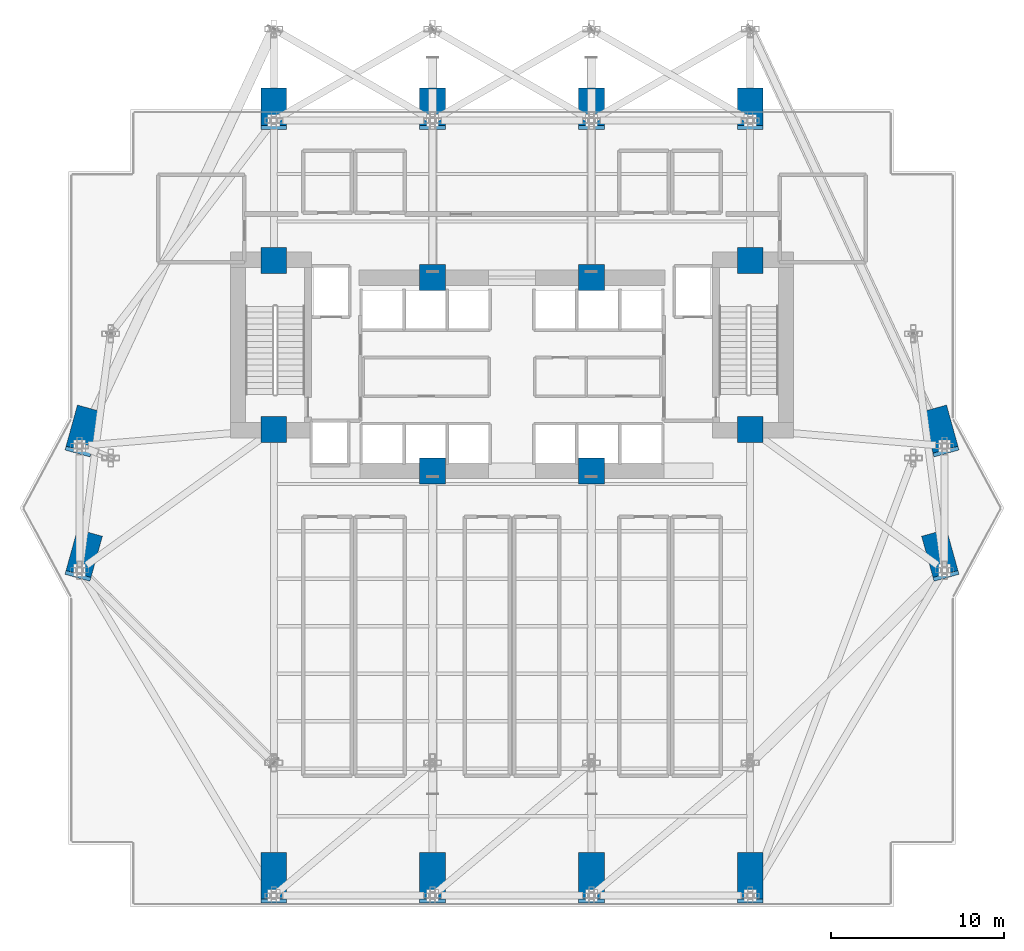
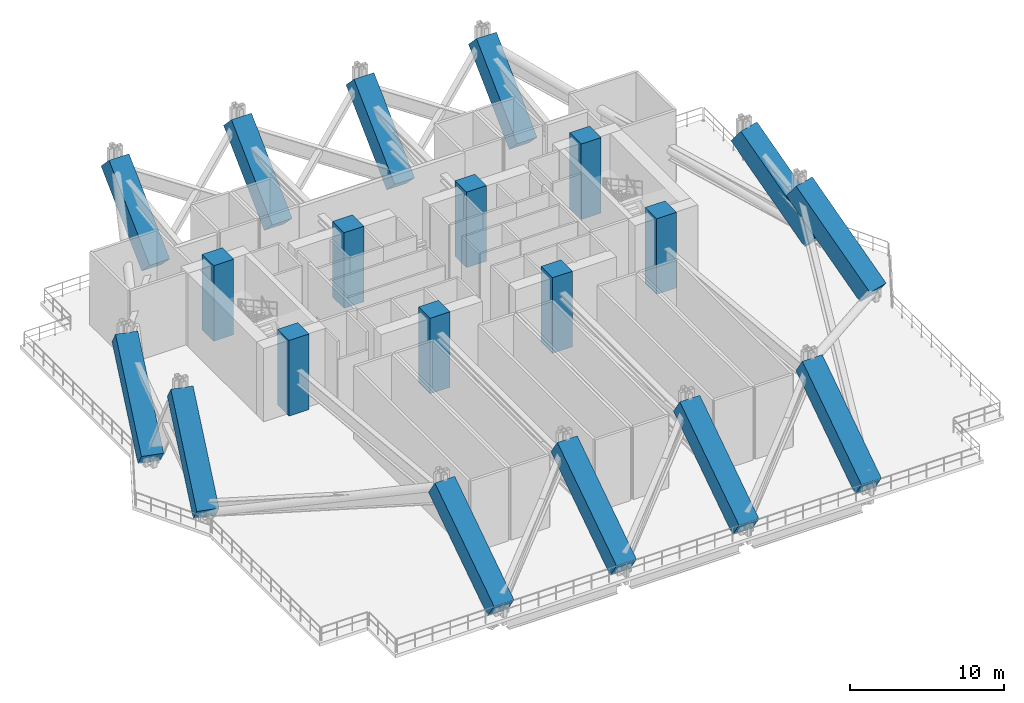
# One storey, part 1 of 21: 20 columns.
"""IFC4 building model written with IfcOpenShell, lengths in metres."""

from ifc_helpers import new_model, si_unit, direction, frame, origin, origin_2d, place, context, subcontext, project, spatial, rectangle, extrude, material, material_profile, profile_set, type_object, element, save


model = new_model("IFC4")

# Units and contexts
model_context = context("Model", 3, precision=1e-05, world=origin(), true_north=direction((0.0, 1.0)))
body_context = subcontext(model_context, "Body", "Model", "MODEL_VIEW")
ifc_project = project(units=[si_unit("LENGTHUNIT", "METRE"), si_unit("AREAUNIT", "SQUARE_METRE"), si_unit("VOLUMEUNIT", "CUBIC_METRE"), si_unit("PLANEANGLEUNIT", "RADIAN"), si_unit("MASSUNIT", "GRAM", prefix="KILO")], contexts=[model_context])

# Site, building, storey
site_placement = place(None, origin())
site = spatial("IfcSite", under=ifc_project, at=site_placement, CompositionType="ELEMENT")
building_placement = place(site_placement, origin())
building = spatial("IfcBuilding", under=site, at=building_placement, Name="Zuhayl Quay Hotel", CompositionType="ELEMENT")
storey_placement = place(building_placement, frame((0.0, 0.0, 89.64990234375)))
storey = spatial("IfcBuildingStorey", under=building, at=storey_placement, Name="L22", CompositionType="ELEMENT", Elevation=89.64990234375)

# Columns
ifc_material = material(Name="Concrete C70/85", Category="concrete")
ifc_material_profile_1 = material_profile(ifc_material, rectangle(XDim=1.5, YDim=1.5, at=origin_2d()), Name="RC1500X1500")
ifc_profile_set_1 = profile_set([ifc_material_profile_1], Name="Concrete C70/85")
column_type_1 = type_object("IfcColumnType", Name="CL_CC1_1500", PredefinedType="COLUMN", material=ifc_profile_set_1)
for number, where, z_axis, x_axis, name in (
    (1, (-13.800048828125, 14.35009765625, 0.0), (0.0, 0.0, 1.0), (1.0, 0.0, 0.0), "L22 Core Column CC_NW"),
    (2, (-4.60009765625, 13.35009765625, 0.0), (0.0, 0.0, 1.0), (1.0, 0.0, 0.0), "L22 Core Column CC_CNW"),
    (3, (4.60009765625, 13.35009765625, 0.0), (0.0, 0.0, 1.0), (1.0, 0.0, 0.0), "L22 Core Column CC_CNE"),
    (4, (13.800048828125, 14.35009765625, 0.0), (0.0, 0.0, 1.0), (1.0, 0.0, 0.0), "L22 Core Column CC_NE"),
    (5, (-13.800048828125, 4.550048828125, 0.0), (0.0, 0.0, 1.0), (1.0, 0.0, 0.0), "L22 Core Column CC_SW"),
    (6, (-4.60009765625, 2.14990234375, 0.0), (0.0, 0.0, 1.0), (1.0, 0.0, 0.0), "L22 Core Column CC_CSW"),
    (7, (4.60009765625, 2.14990234375, 0.0), (0.0, 0.0, 1.0), (1.0, 0.0, 0.0), "L22 Core Column CC_CSE"),
    (8, (13.800048828125, 4.550048828125, 0.0), (0.0, 0.0, 1.0), (1.0, 0.0, 0.0), "L22 Core Column CC_SE"),
):
    element("IfcColumn", number, at=place(storey_placement, frame(where, z_axis=z_axis, x_axis=x_axis)), inside=storey, type_object=column_type_1, Name=name, PredefinedType="COLUMN", context=body_context, shape_type="SweptSolid", body=[
        extrude(rectangle(XDim=1.5, YDim=1.5, at=origin_2d()), origin(), (0.0, 0.0, 1.0), 6.0),
    ])
ifc_material_profile_2 = material_profile(ifc_material, rectangle(XDim=1.5, YDim=1.5, at=origin_2d()), Name="RC1500X1500")
ifc_profile_set_2 = profile_set([ifc_material_profile_2], Name="Concrete C70/85")
column_type_2 = type_object("IfcColumnType", Name="CL_MC1_1500", PredefinedType="COLUMN", material=ifc_profile_set_2)
for number, where, z_axis, x_axis, name in (
    (9, (-13.800048828125, -22.449951171875, 0.43017578125), (0.0, 0.8317215225, 0.55519303761), (-1.0, 0.0, 0.0), "L22 Raked Mega-Column MC_S1"),
    (10, (-4.60009765625, -22.449951171875, 0.43017578125), (0.0, 0.8317215225, 0.55519303761), (-1.0, 0.0, 0.0), "L22 Raked Mega-Column MC_S2"),
    (11, (4.60009765625, -22.449951171875, 0.43017578125), (0.0, 0.8317215225, 0.55519303761), (-1.0, 0.0, 0.0), "L22 Raked Mega-Column MC_S3"),
    (12, (13.800048828125, -22.449951171875, 0.43017578125), (0.0, 0.8317215225, 0.55519303761), (-1.0, 0.0, 0.0), "L22 Raked Mega-Column MC_S4"),
):
    element("IfcColumn", number, at=place(storey_placement, frame(where, z_axis=z_axis, x_axis=x_axis)), inside=storey, type_object=column_type_2, Name=name, PredefinedType="COLUMN", context=body_context, shape_type="SweptSolid", body=[
        extrude(rectangle(XDim=1.5, YDim=1.5, at=origin_2d()), origin(), (0.0, 0.0, 1.0), 9.2578125),
    ])
for number, where, z_axis, x_axis, name in (
    (13, (-13.800048828125, 22.449951171875, 0.43017578125), (0.0, 0.717869844519, 0.696177338277), (-1.0, 0.0, 0.0), "L22 Raked Mega-Column MC_N1"),
    (14, (-4.60009765625, 22.449951171875, 0.43017578125), (0.0, 0.717869844519, 0.696177338277), (-1.0, 0.0, 0.0), "L22 Raked Mega-Column MC_N2"),
    (15, (4.60009765625, 22.449951171875, 0.43017578125), (0.0, 0.717869844519, 0.696177338277), (-1.0, 0.0, 0.0), "L22 Raked Mega-Column MC_N3"),
    (16, (13.800048828125, 22.449951171875, 0.43017578125), (0.0, 0.717869844519, 0.696177338277), (-1.0, 0.0, 0.0), "L22 Raked Mega-Column MC_N4"),
):
    element("IfcColumn", number, at=place(storey_placement, frame(where, z_axis=z_axis, x_axis=x_axis)), inside=storey, type_object=column_type_2, Name=name, PredefinedType="COLUMN", context=body_context, shape_type="SweptSolid", body=[
        extrude(rectangle(XDim=1.5, YDim=1.5, at=origin_2d()), origin(), (0.0, 0.0, 1.0), 7.383056640625),
    ])
for number, where, z_axis, x_axis, name in (
    (17, (-25.050048828125, -3.60009765625, 0.43017578125), (0.212272460176, 0.766518646376, 0.606126692539), (-0.963728159847, 0.266885806887, 0.0), "L22 Raked Mega-Column MC_W1"),
    (18, (-25.050048828125, 3.60009765625, 0.43017578125), (0.212272460176, 0.766518646376, 0.606126692539), (-0.963728159847, 0.266885806887, 0.0), "L22 Raked Mega-Column MC_W2"),
    (19, (25.050048828125, -3.60009765625, 0.43017578125), (-0.212272460176, 0.766518646376, 0.606126692539), (-0.963728159847, -0.266885806887, 0.0), "L22 Raked Mega-Column MC_E1"),
    (20, (25.050048828125, 3.60009765625, 0.43017578125), (-0.212272460176, 0.766518646376, 0.606126692539), (-0.963728159847, -0.266885806887, 0.0), "L22 Raked Mega-Column MC_E2"),
):
    element("IfcColumn", number, at=place(storey_placement, frame(where, z_axis=z_axis, x_axis=x_axis)), inside=storey, type_object=column_type_2, Name=name, PredefinedType="COLUMN", context=body_context, shape_type="SweptSolid", body=[
        extrude(rectangle(XDim=1.5, YDim=1.5, at=origin_2d()), origin(), (0.0, 0.0, 1.0), 8.47998046875),
    ])

save(model, "model.ifc")
